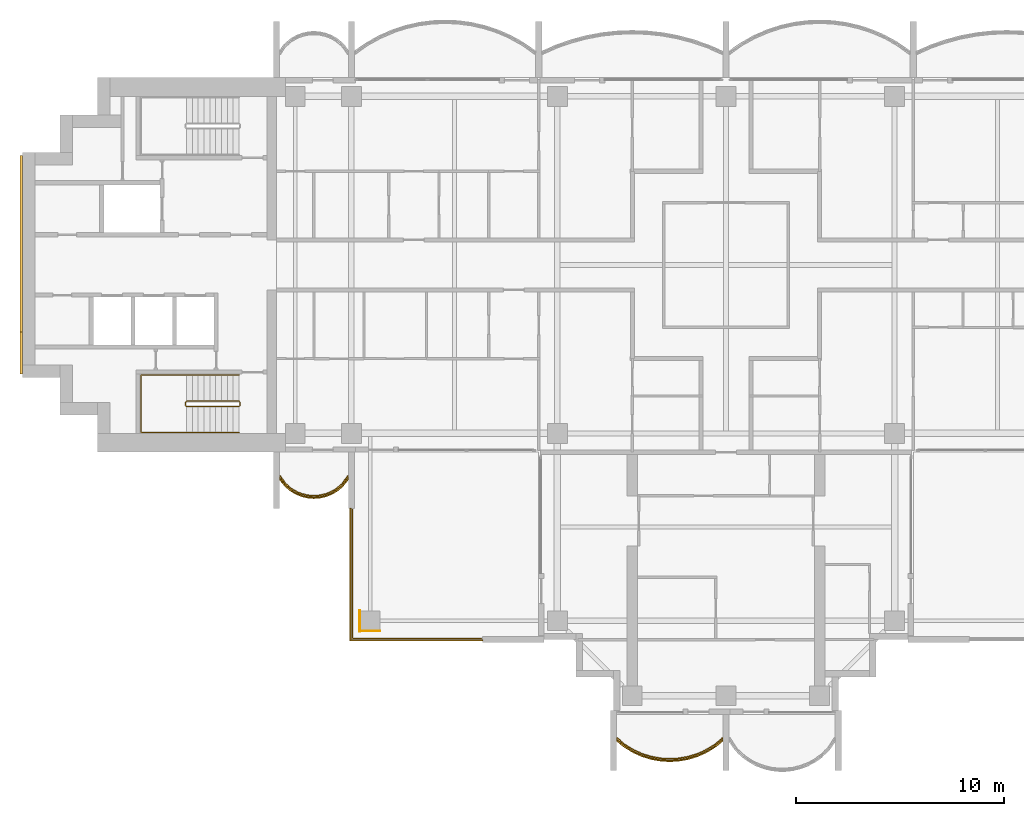
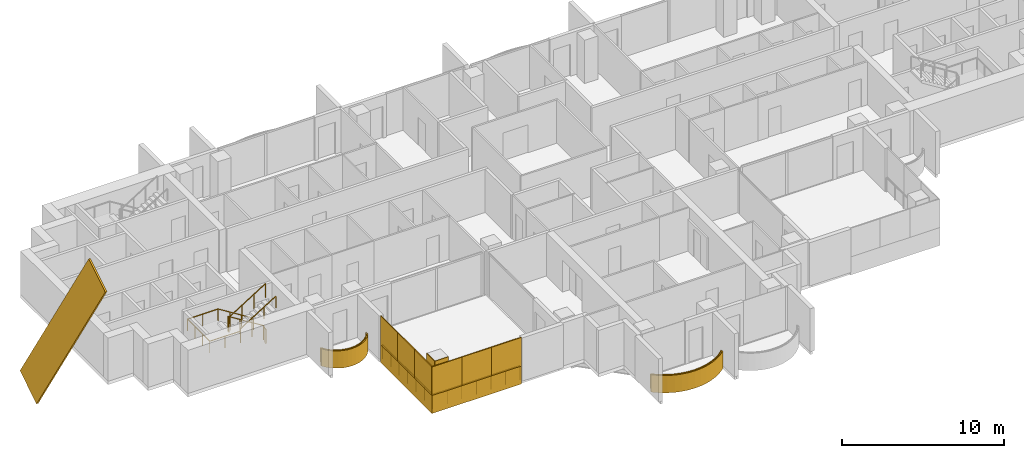
# One storey, part 14 of 17: 12 coverings, 5 railings.
"""IFC4 building model written with IfcOpenShell, lengths in metres."""

from ifc_helpers import new_model, si_unit, direction, frame, origin, origin_2d, place, context, subcontext, project, spatial, polyline, rectangle, outline, extrude, material, layer, layer_set, material_profile, profile_set, type_object, element, save


model = new_model("IFC4")

# Units and contexts
model_context = context("Model", 3, precision=1e-05, world=origin(), true_north=direction((0.0, 1.0)))
body_context = subcontext(model_context, "Body", "Model", "MODEL_VIEW")
ifc_project = project(units=[si_unit("LENGTHUNIT", "METRE"), si_unit("AREAUNIT", "SQUARE_METRE"), si_unit("VOLUMEUNIT", "CUBIC_METRE"), si_unit("PLANEANGLEUNIT", "RADIAN"), si_unit("MASSUNIT", "GRAM", prefix="KILO")], contexts=[model_context])

# Site, building, storey
site_placement = place(None, origin())
site = spatial("IfcSite", under=ifc_project, at=site_placement, CompositionType="ELEMENT")
building_placement = place(site_placement, origin())
building = spatial("IfcBuilding", under=site, at=building_placement, Name="Perihelion Cross Residences", CompositionType="ELEMENT")
storey_placement = place(building_placement, frame((0.0, 0.0, 191.10009765625)))
storey = spatial("IfcBuildingStorey", under=building, at=storey_placement, Name="L47", CompositionType="ELEMENT", Elevation=191.10009765625)

# Coverings
ifc_material_1 = material(Name="Bronze anodised aluminium", Category="aluminium")
ifc_layer_1 = layer(ifc_material_1, 0.070068359375)
ifc_layer_set_1 = layer_set([ifc_layer_1], Name="Balcony fascia 1300")
covering_type_1 = type_object("IfcCoveringType", Name="Balcony fascia 1300", PredefinedType="CLADDING", material=ifc_layer_set_1)
covering_1_placement = place(storey_placement, frame((0.0, 0.0, -0.2001953125)))
element("IfcCovering", 1, at=covering_1_placement, inside=storey, type_object=covering_type_1, Name="Fascia BF1 L47 west side south bay 1", PredefinedType="CLADDING", context=body_context, shape_type="SweptSolid", body=[
    extrude(outline(polyline([(-21.226318359375, -10.616455078125), (-20.94091796875, -10.86328125), (-20.655517578125, -11.031494140625), (-20.370361328125, -11.142578125), (-20.085205078125, -11.206298828125), (-19.800048828125, -11.22705078125), (-19.514892578125, -11.206298828125), (-19.229736328125, -11.142578125), (-18.9443359375, -11.031494140625), (-18.6591796875, -10.86328125), (-18.373779296875, -10.616455078125), (-18.14990234375, -10.31689453125), (-18.14990234375, -10.199951171875), (-18.425048828125, -10.568603515625), (-18.699951171875, -10.806396484375), (-18.97509765625, -10.96875), (-19.25, -11.07568359375), (-19.52490234375, -11.136962890625), (-19.800048828125, -11.156982421875), (-20.074951171875, -11.136962890625), (-20.35009765625, -11.07568359375), (-20.625, -10.96875), (-20.89990234375, -10.806396484375), (-21.175048828125, -10.568603515625), (-21.449951171875, -10.199951171875), (-21.449951171875, -10.31689453125), (-21.226318359375, -10.616455078125)])), origin(), (0.0, 0.0, 1.0), 1.300048828125),
])
covering_2_placement = place(storey_placement, frame((0.0, 0.0, -0.2001953125)))
element("IfcCovering", 2, at=covering_2_placement, inside=storey, type_object=covering_type_1, Name="Fascia BF1 L47 south tip south bay 1", PredefinedType="CLADDING", context=body_context, shape_type="SweptSolid", body=[
    extrude(outline(polyline([(-4.86474609375, -23.197509765625), (-4.431884765625, -23.455078125), (-3.998779296875, -23.642578125), (-3.56591796875, -23.7705078125), (-3.133056640625, -23.845458984375), (-2.699951171875, -23.8701171875), (-2.26708984375, -23.845458984375), (-1.833984375, -23.7705078125), (-1.401123046875, -23.642578125), (-0.96826171875, -23.455078125), (-0.53515625, -23.197509765625), (-0.14990234375, -22.8896484375), (-0.14990234375, -22.800048828125), (-0.574951171875, -23.14013671875), (-1.0, -23.392578125), (-1.425048828125, -23.57666015625), (-1.85009765625, -23.702392578125), (-2.27490234375, -23.77587890625), (-2.699951171875, -23.800048828125), (-3.125, -23.77587890625), (-3.550048828125, -23.702392578125), (-3.97509765625, -23.57666015625), (-4.39990234375, -23.392578125), (-4.824951171875, -23.14013671875), (-5.25, -22.800048828125), (-5.25, -22.8896484375), (-4.86474609375, -23.197509765625)])), origin(), (0.0, 0.0, 1.0), 1.300048828125),
])

# Railings
ifc_material_2 = material(Name="Bronze anodised aluminium", Category="aluminium")
railing_type_1 = type_object("IfcRailingType", Name="Balcony guard 1100", PredefinedType="GUARDRAIL", material=ifc_material_2)
railing_1_placement = place(storey_placement, frame((-21.425048828125, -10.139892578125, 0.0)))
element("IfcRailing", 3, at=railing_1_placement, inside=storey, type_object=railing_type_1, Name="Guard GU1 L47 west side south bay 1 balcony", PredefinedType="GUARDRAIL", context=body_context, shape_type="SweptSolid", body=[
    extrude(rectangle(XDim=0.048095703125, YDim=0.048095703125, at=origin_2d()), frame((0.0, 0.0, 1.076171875), z_axis=(0.561260132269, -0.827639452857, 0.0), x_axis=(0.827639452857, 0.561260132269, 0.0)), (0.0, 0.0, 1.0), 0.4453125),
    extrude(rectangle(XDim=0.048095703125, YDim=0.048095703125, at=origin_2d()), frame((0.25, -0.36865234375, 1.076171875), z_axis=(0.756596535164, -0.653882009982, 0.0), x_axis=(0.653882009982, 0.756596535164, 0.0)), (0.0, 0.0, 1.0), 0.36376953125),
    extrude(rectangle(XDim=0.048095703125, YDim=0.048095703125, at=origin_2d()), frame((0.525146484375, -0.6064453125, 1.076171875), z_axis=(0.861048292884, -0.508523192511, 0.0), x_axis=(0.508523192511, 0.861048292884, 0.0)), (0.0, 0.0, 1.0), 0.3193359375),
    extrude(rectangle(XDim=0.048095703125, YDim=0.048095703125, at=origin_2d()), frame((0.800048828125, -0.768798828125, 1.076171875), z_axis=(0.931973602183, -0.362526143656, 0.0), x_axis=(0.362526143656, 0.931973602183, 0.0)), (0.0, 0.0, 1.0), 0.294921875),
    extrude(rectangle(XDim=0.048095703125, YDim=0.048095703125, at=origin_2d()), frame((1.074951171875, -0.875732421875, 1.076171875), z_axis=(0.976085059389, -0.21738895289, 0.0), x_axis=(0.21738895289, 0.976085059389, 0.0)), (0.0, 0.0, 1.0), 0.281982421875),
    extrude(rectangle(XDim=0.048095703125, YDim=0.048095703125, at=origin_2d()), frame((1.35009765625, -0.93701171875, 1.076171875), z_axis=(0.997358821833, -0.072631814734, 0.0), x_axis=(0.072631814734, 0.997358821833, 0.0)), (0.0, 0.0, 1.0), 0.275634765625),
    extrude(rectangle(XDim=0.048095703125, YDim=0.048095703125, at=origin_2d()), frame((1.625, -0.95703125, 1.076171875), z_axis=(0.997363488337, 0.072567707226, 0.0), x_axis=(-0.072567707226, 0.997363488337, 0.0)), (0.0, 0.0, 1.0), 0.27587890625),
    extrude(rectangle(XDim=0.048095703125, YDim=0.048095703125, at=origin_2d()), frame((1.900146484375, -0.93701171875, 1.076171875), z_axis=(0.976044077717, 0.217572880557, 0.0), x_axis=(-0.217572880557, 0.976044077717, 0.0)), (0.0, 0.0, 1.0), 0.28173828125),
    extrude(rectangle(XDim=0.048095703125, YDim=0.048095703125, at=origin_2d()), frame((2.175048828125, -0.875732421875, 1.076171875), z_axis=(0.931973602183, 0.362526143656, 0.0), x_axis=(-0.362526143656, 0.931973602183, 0.0)), (0.0, 0.0, 1.0), 0.294921875),
    extrude(rectangle(XDim=0.048095703125, YDim=0.048095703125, at=origin_2d()), frame((2.449951171875, -0.768798828125, 1.076171875), z_axis=(0.861245845072, 0.508188542123, 0.0), x_axis=(-0.508188542123, 0.861245845072, 0.0)), (0.0, 0.0, 1.0), 0.319580078125),
    extrude(rectangle(XDim=0.048095703125, YDim=0.048095703125, at=origin_2d()), frame((2.72509765625, -0.6064453125, 1.076171875), z_axis=(0.756309278473, 0.654214242658, 0.0), x_axis=(-0.654214242658, 0.756309278473, 0.0)), (0.0, 0.0, 1.0), 0.363525390625),
    extrude(rectangle(XDim=0.048095703125, YDim=0.048095703125, at=origin_2d()), frame((3.0, -0.36865234375, 1.076171875), z_axis=(0.561260132269, 0.827639452857, 0.0), x_axis=(-0.827639452857, 0.561260132269, 0.0)), (0.0, 0.0, 1.0), 0.4453125),
    extrude(rectangle(XDim=0.0419921875, YDim=0.0419921875, at=origin_2d()), origin(), (0.0, 0.0, 1.0), 1.052001953125),
    extrude(rectangle(XDim=0.0419921875, YDim=0.0419921875, at=origin_2d()), frame((0.25, -0.36865234375, 0.0)), (0.0, 0.0, 1.0), 1.052001953125),
    extrude(rectangle(XDim=0.0419921875, YDim=0.0419921875, at=origin_2d()), frame((0.525146484375, -0.6064453125, 0.0)), (0.0, 0.0, 1.0), 1.052001953125),
    extrude(rectangle(XDim=0.0419921875, YDim=0.0419921875, at=origin_2d()), frame((0.800048828125, -0.768798828125, 0.0)), (0.0, 0.0, 1.0), 1.052001953125),
    extrude(rectangle(XDim=0.0419921875, YDim=0.0419921875, at=origin_2d()), frame((1.074951171875, -0.875732421875, 0.0)), (0.0, 0.0, 1.0), 1.052001953125),
    extrude(rectangle(XDim=0.0419921875, YDim=0.0419921875, at=origin_2d()), frame((1.35009765625, -0.93701171875, 0.0)), (0.0, 0.0, 1.0), 1.052001953125),
    extrude(rectangle(XDim=0.0419921875, YDim=0.0419921875, at=origin_2d()), frame((1.625, -0.95703125, 0.0)), (0.0, 0.0, 1.0), 1.052001953125),
    extrude(rectangle(XDim=0.0419921875, YDim=0.0419921875, at=origin_2d()), frame((1.900146484375, -0.93701171875, 0.0)), (0.0, 0.0, 1.0), 1.052001953125),
    extrude(rectangle(XDim=0.0419921875, YDim=0.0419921875, at=origin_2d()), frame((2.175048828125, -0.875732421875, 0.0)), (0.0, 0.0, 1.0), 1.052001953125),
    extrude(rectangle(XDim=0.0419921875, YDim=0.0419921875, at=origin_2d()), frame((2.449951171875, -0.768798828125, 0.0)), (0.0, 0.0, 1.0), 1.052001953125),
    extrude(rectangle(XDim=0.0419921875, YDim=0.0419921875, at=origin_2d()), frame((2.72509765625, -0.6064453125, 0.0)), (0.0, 0.0, 1.0), 1.052001953125),
    extrude(rectangle(XDim=0.0419921875, YDim=0.0419921875, at=origin_2d()), frame((3.0, -0.36865234375, 0.0)), (0.0, 0.0, 1.0), 1.052001953125),
    extrude(rectangle(XDim=0.0419921875, YDim=0.0419921875, at=origin_2d()), frame((3.25, 0.0, 0.0)), (0.0, 0.0, 1.0), 1.052001953125),
])
railing_2_placement = place(storey_placement, frame((-5.22509765625, -22.739990234375, 0.0)))
element("IfcRailing", 4, at=railing_2_placement, inside=storey, type_object=railing_type_1, Name="Guard GU1 L47 south tip south bay 1 balcony", PredefinedType="GUARDRAIL", context=body_context, shape_type="SweptSolid", body=[
    extrude(rectangle(XDim=0.048095703125, YDim=0.048095703125, at=origin_2d()), frame((0.0, 0.0, 1.076171875), z_axis=(0.761973728849, -0.647607934281, 0.0), x_axis=(0.647607934281, 0.761973728849, 0.0)), (0.0, 0.0, 1.0), 0.525146484375),
    extrude(rectangle(XDim=0.048095703125, YDim=0.048095703125, at=origin_2d()), frame((0.400146484375, -0.340087890625, 1.076171875), z_axis=(0.859576918062, -0.511006381501, 0.0), x_axis=(0.511006381501, 0.859576918062, 0.0)), (0.0, 0.0, 1.0), 0.494384765625),
    extrude(rectangle(XDim=0.048095703125, YDim=0.048095703125, at=origin_2d()), frame((0.8251953125, -0.5927734375, 1.076171875), z_axis=(0.917747942671, -0.397163333811, 0.0), x_axis=(0.397163333811, 0.917747942671, 0.0)), (0.0, 0.0, 1.0), 0.462890625),
    extrude(rectangle(XDim=0.048095703125, YDim=0.048095703125, at=origin_2d()), frame((1.25, -0.776611328125, 1.076171875), z_axis=(0.958925815697, -0.283656975924, 0.0), x_axis=(0.283656975924, 0.958925815697, 0.0)), (0.0, 0.0, 1.0), 0.443359375),
    extrude(rectangle(XDim=0.048095703125, YDim=0.048095703125, at=origin_2d()), frame((1.675048828125, -0.90234375, 1.076171875), z_axis=(0.985381583142, -0.17036177859, 0.0), x_axis=(0.17036177859, 0.985381583142, 0.0)), (0.0, 0.0, 1.0), 0.431396484375),
    extrude(rectangle(XDim=0.048095703125, YDim=0.048095703125, at=origin_2d()), frame((2.10009765625, -0.975830078125, 1.076171875), z_axis=(0.998387160354, -0.056772159032, 0.0), x_axis=(0.056772159032, 0.998387160354, 0.0)), (0.0, 0.0, 1.0), 0.42578125),
    extrude(rectangle(XDim=0.048095703125, YDim=0.048095703125, at=origin_2d()), frame((2.525146484375, -1.0, 1.076171875), z_axis=(0.998387160354, 0.056772159032, 0.0), x_axis=(-0.056772159032, 0.998387160354, 0.0)), (0.0, 0.0, 1.0), 0.42578125),
    extrude(rectangle(XDim=0.048095703125, YDim=0.048095703125, at=origin_2d()), frame((2.9501953125, -0.975830078125, 1.076171875), z_axis=(0.985365142702, 0.170456843651, 0.0), x_axis=(-0.170456843651, 0.985365142702, 0.0)), (0.0, 0.0, 1.0), 0.43115234375),
    extrude(rectangle(XDim=0.048095703125, YDim=0.048095703125, at=origin_2d()), frame((3.375, -0.90234375, 1.076171875), z_axis=(0.958925815697, 0.283656975924, 0.0), x_axis=(-0.283656975924, 0.958925815697, 0.0)), (0.0, 0.0, 1.0), 0.443359375),
    extrude(rectangle(XDim=0.048095703125, YDim=0.048095703125, at=origin_2d()), frame((3.800048828125, -0.776611328125, 1.076171875), z_axis=(0.917831080218, 0.396971167952, 0.0), x_axis=(-0.396971167952, 0.917831080218, 0.0)), (0.0, 0.0, 1.0), 0.463134765625),
    extrude(rectangle(XDim=0.048095703125, YDim=0.048095703125, at=origin_2d()), frame((4.22509765625, -0.5927734375, 1.076171875), z_axis=(0.859576918062, 0.511006381501, 0.0), x_axis=(-0.511006381501, 0.859576918062, 0.0)), (0.0, 0.0, 1.0), 0.494384765625),
    extrude(rectangle(XDim=0.048095703125, YDim=0.048095703125, at=origin_2d()), frame((4.650146484375, -0.340087890625, 1.076171875), z_axis=(0.761778647315, 0.647837396648, 0.0), x_axis=(-0.647837396648, 0.761778647315, 0.0)), (0.0, 0.0, 1.0), 0.52490234375),
    extrude(rectangle(XDim=0.0419921875, YDim=0.0419921875, at=origin_2d()), origin(), (0.0, 0.0, 1.0), 1.052001953125),
    extrude(rectangle(XDim=0.0419921875, YDim=0.0419921875, at=origin_2d()), frame((0.400146484375, -0.340087890625, 0.0)), (0.0, 0.0, 1.0), 1.052001953125),
    extrude(rectangle(XDim=0.0419921875, YDim=0.0419921875, at=origin_2d()), frame((0.8251953125, -0.5927734375, 0.0)), (0.0, 0.0, 1.0), 1.052001953125),
    extrude(rectangle(XDim=0.0419921875, YDim=0.0419921875, at=origin_2d()), frame((1.25, -0.776611328125, 0.0)), (0.0, 0.0, 1.0), 1.052001953125),
    extrude(rectangle(XDim=0.0419921875, YDim=0.0419921875, at=origin_2d()), frame((1.675048828125, -0.90234375, 0.0)), (0.0, 0.0, 1.0), 1.052001953125),
    extrude(rectangle(XDim=0.0419921875, YDim=0.0419921875, at=origin_2d()), frame((2.10009765625, -0.975830078125, 0.0)), (0.0, 0.0, 1.0), 1.052001953125),
    extrude(rectangle(XDim=0.0419921875, YDim=0.0419921875, at=origin_2d()), frame((2.525146484375, -1.0, 0.0)), (0.0, 0.0, 1.0), 1.052001953125),
    extrude(rectangle(XDim=0.0419921875, YDim=0.0419921875, at=origin_2d()), frame((2.9501953125, -0.975830078125, 0.0)), (0.0, 0.0, 1.0), 1.052001953125),
    extrude(rectangle(XDim=0.0419921875, YDim=0.0419921875, at=origin_2d()), frame((3.375, -0.90234375, 0.0)), (0.0, 0.0, 1.0), 1.052001953125),
    extrude(rectangle(XDim=0.0419921875, YDim=0.0419921875, at=origin_2d()), frame((3.800048828125, -0.776611328125, 0.0)), (0.0, 0.0, 1.0), 1.052001953125),
    extrude(rectangle(XDim=0.0419921875, YDim=0.0419921875, at=origin_2d()), frame((4.22509765625, -0.5927734375, 0.0)), (0.0, 0.0, 1.0), 1.052001953125),
    extrude(rectangle(XDim=0.0419921875, YDim=0.0419921875, at=origin_2d()), frame((4.650146484375, -0.340087890625, 0.0)), (0.0, 0.0, 1.0), 1.052001953125),
    extrude(rectangle(XDim=0.0419921875, YDim=0.0419921875, at=origin_2d()), frame((5.050048828125, 0.0, 0.0)), (0.0, 0.0, 1.0), 1.052001953125),
])
railing_3_placement = place(storey_placement, frame((-11.739990234375, -17.93994140625, 0.0)))
element("IfcRailing", 5, at=railing_3_placement, inside=storey, type_object=railing_type_1, Name="Guard GU1 L47 pocket south-west 1", PredefinedType="GUARDRAIL", context=body_context, shape_type="SweptSolid", body=[
    extrude(rectangle(XDim=0.048095703125, YDim=0.048095703125, at=origin_2d()), frame((0.0, 0.0, 1.076171875), z_axis=(-1.0, 0.0, 0.0), x_axis=(0.0, -1.0, 0.0)), (0.0, 0.0, 1.0), 6.199951171875),
    extrude(rectangle(XDim=0.048095703125, YDim=0.048095703125, at=origin_2d()), frame((-6.199951171875, 0.0, 1.076171875), z_axis=(0.0, 1.0, 0.0), x_axis=(-1.0, 0.0, 0.0)), (0.0, 0.0, 1.0), 6.199951171875),
    extrude(rectangle(XDim=0.0419921875, YDim=0.0419921875, at=origin_2d()), origin(), (0.0, 0.0, 1.0), 1.052001953125),
    extrude(rectangle(XDim=0.0419921875, YDim=0.0419921875, at=origin_2d()), frame((-1.033203125, 0.0, 0.0)), (0.0, 0.0, 1.0), 1.052001953125),
    extrude(rectangle(XDim=0.0419921875, YDim=0.0419921875, at=origin_2d()), frame((-2.066650390625, 0.0, 0.0)), (0.0, 0.0, 1.0), 1.052001953125),
    extrude(rectangle(XDim=0.0419921875, YDim=0.0419921875, at=origin_2d()), frame((-3.10009765625, 0.0, 0.0)), (0.0, 0.0, 1.0), 1.052001953125),
    extrude(rectangle(XDim=0.0419921875, YDim=0.0419921875, at=origin_2d()), frame((-4.13330078125, 0.0, 0.0)), (0.0, 0.0, 1.0), 1.052001953125),
    extrude(rectangle(XDim=0.0419921875, YDim=0.0419921875, at=origin_2d()), frame((-5.16650390625, 0.0, 0.0)), (0.0, 0.0, 1.0), 1.052001953125),
    extrude(rectangle(XDim=0.0419921875, YDim=0.0419921875, at=origin_2d()), frame((-6.199951171875, 0.0, 0.0)), (0.0, 0.0, 1.0), 1.052001953125),
    extrude(rectangle(XDim=0.0419921875, YDim=0.0419921875, at=origin_2d()), frame((-6.199951171875, 1.033203125, 0.0)), (0.0, 0.0, 1.0), 1.052001953125),
    extrude(rectangle(XDim=0.0419921875, YDim=0.0419921875, at=origin_2d()), frame((-6.199951171875, 2.066650390625, 0.0)), (0.0, 0.0, 1.0), 1.052001953125),
    extrude(rectangle(XDim=0.0419921875, YDim=0.0419921875, at=origin_2d()), frame((-6.199951171875, 3.10009765625, 0.0)), (0.0, 0.0, 1.0), 1.052001953125),
    extrude(rectangle(XDim=0.0419921875, YDim=0.0419921875, at=origin_2d()), frame((-6.199951171875, 4.13330078125, 0.0)), (0.0, 0.0, 1.0), 1.052001953125),
    extrude(rectangle(XDim=0.0419921875, YDim=0.0419921875, at=origin_2d()), frame((-6.199951171875, 5.16650390625, 0.0)), (0.0, 0.0, 1.0), 1.052001953125),
    extrude(rectangle(XDim=0.0419921875, YDim=0.0419921875, at=origin_2d()), frame((-6.199951171875, 6.199951171875, 0.0)), (0.0, 0.0, 1.0), 1.052001953125),
])

# Coverings
ifc_material_3 = material(Name="Bronze anodised aluminium", Category="aluminium")
ifc_material_profile = material_profile(ifc_material_3, rectangle(XDim=0.125, YDim=2.39990234375, at=origin_2d()), Name="Bronze cladding band 2400")
ifc_profile_set = profile_set([ifc_material_profile], Name="Bronze anodised aluminium")
covering_type_2 = type_object("IfcCoveringType", Name="Bronze cladding band 2400", PredefinedType="CLADDING", material=ifc_profile_set)
covering_3_placement = place(storey_placement, frame((-33.862548828125, 4.232421875, -6.2431640625), z_axis=(0.0, -0.529931619435, 0.848040375644), x_axis=(1.0, 0.0, 0.0)))
element("IfcCovering", 6, at=covering_3_placement, inside=storey, type_object=covering_type_2, Name="Core cladding band, west core", PredefinedType="CLADDING", context=body_context, shape_type="SweptSolid", body=[
    extrude(rectangle(XDim=0.125, YDim=2.39990234375, at=origin_2d()), origin(), (0.0, 0.0, 1.0), 15.973388671875),
])
ifc_material_4 = material(Name="Bronze anodised aluminium", Category="aluminium")
ifc_layer_2 = layer(ifc_material_4, 0.0400390625)
ifc_layer_set_2 = layer_set([ifc_layer_2], Name="Bronze column casing 40")
covering_type_3 = type_object("IfcCoveringType", Name="Bronze column casing 40", PredefinedType="CLADDING", material=ifc_layer_set_2)
covering_4_placement = place(storey_placement, frame((-17.594970703125, -17.10009765625, -0.25), z_axis=(0.0, 0.0, 1.0), x_axis=(1.0, 0.0, 0.0)))
element("IfcCovering", 7, at=covering_4_placement, inside=storey, type_object=covering_type_3, Name="Cladding CC1 L47 casing east-west no. 1", PredefinedType="CLADDING", context=body_context, shape_type="SweptSolid", body=[
    extrude(rectangle(XDim=0.0400390625, YDim=1.030029296875, at=origin_2d()), origin(), (0.0, 0.0, 1.0), 3.5),
])
covering_5_placement = place(storey_placement, frame((-17.10009765625, -17.594970703125, -0.25), z_axis=(0.0, 0.0, 1.0), x_axis=(1.0, 0.0, 0.0)))
element("IfcCovering", 8, at=covering_5_placement, inside=storey, type_object=covering_type_3, Name="Cladding CC1 L47 casing north-south no. 1", PredefinedType="CLADDING", context=body_context, shape_type="SweptSolid", body=[
    extrude(rectangle(XDim=0.949951171875, YDim=0.0400390625, at=origin_2d()), origin(), (0.0, 0.0, 1.0), 3.5),
])
ifc_material_5 = material(Name="Bronze anodised aluminium", Category="aluminium")
ifc_layer_3 = layer(ifc_material_5, 0.070068359375)
ifc_layer_set_3 = layer_set([ifc_layer_3], Name="Pocket fascia 1350")
covering_type_4 = type_object("IfcCoveringType", Name="Pocket fascia 1350", PredefinedType="CLADDING", material=ifc_layer_set_3)
covering_6_placement = place(storey_placement, frame((0.0, 0.0, -0.25)))
element("IfcCovering", 9, at=covering_6_placement, inside=storey, type_object=covering_type_4, Name="Fascia BF2 L47 pocket south-west 1", PredefinedType="CLADDING", context=body_context, shape_type="SweptSolid", body=[
    extrude(outline(polyline([(-18.070068359375, -11.699951171875), (-18.070068359375, -18.070068359375), (-11.699951171875, -18.070068359375), (-11.699951171875, -18.0), (-18.0, -18.0), (-18.0, -11.699951171875), (-18.070068359375, -11.699951171875)])), origin(), (0.0, 0.0, 1.0), 1.349853515625),
])
ifc_material_6 = material(Name="Bronze perforated aluminium", Category="aluminium")
ifc_layer_4 = layer(ifc_material_6, 0.070068359375)
ifc_layer_set_4 = layer_set([ifc_layer_4], Name="Pocket solar screen, bronze perforated")
covering_type_5 = type_object("IfcCoveringType", Name="Pocket solar screen, bronze perforated", PredefinedType="CLADDING", material=ifc_layer_set_4)
covering_7_placement = place(storey_placement, frame((0.0, 0.0, 1.099853515625)))
element("IfcCovering", 10, at=covering_7_placement, inside=storey, type_object=covering_type_5, Name="Solar screen PS1 L47 pocket south-west no. 1", PredefinedType="CLADDING", context=body_context, shape_type="SweptSolid", body=[
    extrude(outline(polyline([(-18.0, -18.0), (-18.0, -15.89990234375), (-18.070068359375, -15.89990234375), (-18.070068359375, -18.0), (-18.0, -18.0)])), origin(), (0.0, 0.0, 1.0), 2.150146484375),
])
covering_8_placement = place(storey_placement, frame((0.0, 0.0, 1.099853515625)))
element("IfcCovering", 11, at=covering_8_placement, inside=storey, type_object=covering_type_5, Name="Solar screen PS1 L47 pocket south-west no. 2", PredefinedType="CLADDING", context=body_context, shape_type="SweptSolid", body=[
    extrude(outline(polyline([(-18.0, -15.89990234375), (-18.0, -13.800048828125), (-18.070068359375, -13.800048828125), (-18.070068359375, -15.89990234375), (-18.0, -15.89990234375)])), origin(), (0.0, 0.0, 1.0), 2.150146484375),
])
covering_9_placement = place(storey_placement, frame((0.0, 0.0, 1.099853515625)))
element("IfcCovering", 12, at=covering_9_placement, inside=storey, type_object=covering_type_5, Name="Solar screen PS1 L47 pocket south-west no. 3", PredefinedType="CLADDING", context=body_context, shape_type="SweptSolid", body=[
    extrude(outline(polyline([(-18.0, -13.800048828125), (-18.0, -11.699951171875), (-18.070068359375, -11.699951171875), (-18.070068359375, -13.800048828125), (-18.0, -13.800048828125)])), origin(), (0.0, 0.0, 1.0), 2.150146484375),
])
covering_10_placement = place(storey_placement, frame((0.0, 0.0, 1.099853515625)))
element("IfcCovering", 13, at=covering_10_placement, inside=storey, type_object=covering_type_5, Name="Solar screen PS1 L47 pocket south-west no. 4", PredefinedType="CLADDING", context=body_context, shape_type="SweptSolid", body=[
    extrude(outline(polyline([(-15.94677734375, -18.070068359375), (-15.94677734375, -18.0), (-18.070068359375, -18.0), (-18.070068359375, -18.070068359375), (-15.94677734375, -18.070068359375)])), origin(), (0.0, 0.0, 1.0), 2.150146484375),
])
covering_11_placement = place(storey_placement, frame((0.0, 0.0, 1.099853515625)))
element("IfcCovering", 14, at=covering_11_placement, inside=storey, type_object=covering_type_5, Name="Solar screen PS1 L47 pocket south-west no. 5", PredefinedType="CLADDING", context=body_context, shape_type="SweptSolid", body=[
    extrude(outline(polyline([(-13.8232421875, -18.070068359375), (-13.8232421875, -18.0), (-15.94677734375, -18.0), (-15.94677734375, -18.070068359375), (-13.8232421875, -18.070068359375)])), origin(), (0.0, 0.0, 1.0), 2.150146484375),
])
covering_12_placement = place(storey_placement, frame((0.0, 0.0, 1.099853515625)))
element("IfcCovering", 15, at=covering_12_placement, inside=storey, type_object=covering_type_5, Name="Solar screen PS1 L47 pocket south-west no. 6", PredefinedType="CLADDING", context=body_context, shape_type="SweptSolid", body=[
    extrude(outline(polyline([(-11.699951171875, -18.070068359375), (-11.699951171875, -18.0), (-13.8232421875, -18.0), (-13.8232421875, -18.070068359375), (-11.699951171875, -18.070068359375)])), origin(), (0.0, 0.0, 1.0), 2.150146484375),
])

# Railings
ifc_material_7 = material(Name="Stainless steel", Category="steel")
railing_type_2 = type_object("IfcRailingType", Name="Stair guard 1100", PredefinedType="GUARDRAIL", material=ifc_material_7)
railing_4_placement = place(storey_placement, frame((-23.35009765625, -6.75, 0.0)))
element("IfcRailing", 16, at=railing_4_placement, inside=storey, type_object=railing_type_2, Name="L47 ST-W2 stair guard 1", PredefinedType="GUARDRAIL", context=body_context, shape_type="SweptSolid", body=[
    extrude(rectangle(XDim=0.048095703125, YDim=0.048095703125, at=origin_2d()), frame((0.0, 0.0, 1.076171875), z_axis=(0.0, 1.0, 0.0), x_axis=(-1.0, 0.0, 0.0)), (0.0, 0.0, 1.0), 0.14990234375),
    extrude(rectangle(XDim=0.048095703125, YDim=0.048095703125, at=origin_2d()), frame((0.0, 0.14990234375, 1.076171875), z_axis=(-0.264179342666, 0.265474339444, 0.927217692888), x_axis=(-0.708833529934, -0.705375805398, 0.0)), (0.0, 0.0, 1.0), 0.1884765625),
    extrude(rectangle(XDim=0.048095703125, YDim=0.048095703125, at=origin_2d()), frame((-0.0498046875, 0.199951171875, 1.2509765625), z_axis=(-0.847970611238, 0.0, 0.530043245855), x_axis=(0.0, -1.0, 0.0)), (0.0, 0.0, 1.0), 2.971923828125),
    extrude(rectangle(XDim=0.048095703125, YDim=0.048095703125, at=origin_2d()), frame((-2.56982421875, 0.199951171875, 2.826171875), z_axis=(-0.707106781187, -0.707106781187, 0.0), x_axis=(0.707106781187, -0.707106781187, 0.0)), (0.0, 0.0, 1.0), 0.07080078125),
    extrude(rectangle(XDim=0.048095703125, YDim=0.048095703125, at=origin_2d()), frame((-2.619873046875, 0.14990234375, 2.826171875), z_axis=(0.0, -1.0, 0.0), x_axis=(1.0, 0.0, 0.0)), (0.0, 0.0, 1.0), 0.14990234375),
    extrude(rectangle(XDim=0.048095703125, YDim=0.048095703125, at=origin_2d()), frame((-2.619873046875, 0.0, 2.826171875), z_axis=(0.265383341853, -0.265383341853, 0.926899867156), x_axis=(0.707106781187, 0.707106781187, 0.0)), (0.0, 0.0, 1.0), 0.1884765625),
    extrude(rectangle(XDim=0.048095703125, YDim=0.048095703125, at=origin_2d()), frame((-2.56982421875, -0.050048828125, 3.0009765625), z_axis=(0.847970611238, 0.0, 0.530043245855), x_axis=(0.0, 1.0, 0.0)), (0.0, 0.0, 1.0), 2.971923828125),
    extrude(rectangle(XDim=0.0419921875, YDim=0.0419921875, at=origin_2d()), origin(), (0.0, 0.0, 1.0), 1.052001953125),
    extrude(rectangle(XDim=0.0419921875, YDim=0.0419921875, at=origin_2d()), frame((0.0, 0.14990234375, 0.0)), (0.0, 0.0, 1.0), 1.052001953125),
    extrude(rectangle(XDim=0.0419921875, YDim=0.0419921875, at=origin_2d()), frame((-0.0498046875, 0.199951171875, 0.1748046875)), (0.0, 0.0, 1.0), 1.052001953125),
    extrude(rectangle(XDim=0.0419921875, YDim=0.0419921875, at=origin_2d()), frame((-0.889892578125, 0.199951171875, 0.699951171875)), (0.0, 0.0, 1.0), 1.052001953125),
    extrude(rectangle(XDim=0.0419921875, YDim=0.0419921875, at=origin_2d()), frame((-1.729736328125, 0.199951171875, 1.224853515625)), (0.0, 0.0, 1.0), 1.052001953125),
    extrude(rectangle(XDim=0.0419921875, YDim=0.0419921875, at=origin_2d()), frame((-2.56982421875, 0.199951171875, 1.75)), (0.0, 0.0, 1.0), 1.052001953125),
    extrude(rectangle(XDim=0.0419921875, YDim=0.0419921875, at=origin_2d()), frame((-2.619873046875, 0.14990234375, 1.75)), (0.0, 0.0, 1.0), 1.052001953125),
    extrude(rectangle(XDim=0.0419921875, YDim=0.0419921875, at=origin_2d()), frame((-2.619873046875, 0.0, 1.75)), (0.0, 0.0, 1.0), 1.052001953125),
    extrude(rectangle(XDim=0.0419921875, YDim=0.0419921875, at=origin_2d()), frame((-2.56982421875, -0.050048828125, 1.9248046875)), (0.0, 0.0, 1.0), 1.052001953125),
    extrude(rectangle(XDim=0.0419921875, YDim=0.0419921875, at=origin_2d()), frame((-1.729736328125, -0.050048828125, 2.449951171875)), (0.0, 0.0, 1.0), 1.052001953125),
    extrude(rectangle(XDim=0.0419921875, YDim=0.0419921875, at=origin_2d()), frame((-0.889892578125, -0.050048828125, 2.974853515625)), (0.0, 0.0, 1.0), 1.052001953125),
    extrude(rectangle(XDim=0.0419921875, YDim=0.0419921875, at=origin_2d()), frame((-0.0498046875, -0.050048828125, 3.5)), (0.0, 0.0, 1.0), 1.052001953125),
])
ifc_material_8 = material(Name="Stainless steel", Category="steel")
railing_type_3 = type_object("IfcRailingType", Name="Stair handrail 900", PredefinedType="HANDRAIL", material=ifc_material_8)
railing_5_placement = place(storey_placement, frame((-23.39990234375, -5.300048828125, 0.1748046875)))
element("IfcRailing", 17, at=railing_5_placement, inside=storey, type_object=railing_type_3, Name="L47 ST-W2 stair handrail 1", PredefinedType="HANDRAIL", context=body_context, shape_type="SweptSolid", body=[
    extrude(rectangle(XDim=0.048095703125, YDim=0.048095703125, at=origin_2d()), frame((0.0, 0.0, 0.8759765625), z_axis=(-0.847970611238, 0.0, 0.530043245855), x_axis=(0.0, -1.0, 0.0)), (0.0, 0.0, 1.0), 2.971923828125),
    extrude(rectangle(XDim=0.048095703125, YDim=0.048095703125, at=origin_2d()), frame((-2.52001953125, 0.0, 2.451171875), z_axis=(-1.0, 0.0, 0.0), x_axis=(0.0, -1.0, 0.0)), (0.0, 0.0, 1.0), 2.18017578125),
    extrude(rectangle(XDim=0.048095703125, YDim=0.048095703125, at=origin_2d()), frame((-4.7001953125, 0.0, 2.451171875), z_axis=(0.0, -1.0, 0.0), x_axis=(1.0, 0.0, 0.0)), (0.0, 0.0, 1.0), 2.75),
    extrude(rectangle(XDim=0.048095703125, YDim=0.048095703125, at=origin_2d()), frame((-4.7001953125, -2.75, 2.451171875), z_axis=(1.0, 0.0, 0.0), x_axis=(0.0, 1.0, 0.0)), (0.0, 0.0, 1.0), 2.18017578125),
    extrude(rectangle(XDim=0.048095703125, YDim=0.048095703125, at=origin_2d()), frame((-2.52001953125, -2.75, 2.451171875), z_axis=(0.0, 0.0, 1.0), x_axis=(1.0, 0.0, 0.0)), (0.0, 0.0, 1.0), 0.1748046875),
    extrude(rectangle(XDim=0.048095703125, YDim=0.048095703125, at=origin_2d()), frame((-2.52001953125, -2.75, 2.6259765625), z_axis=(0.847970611238, 0.0, 0.530043245855), x_axis=(0.0, 1.0, 0.0)), (0.0, 0.0, 1.0), 2.971923828125),
    extrude(rectangle(XDim=0.0419921875, YDim=0.0419921875, at=origin_2d()), origin(), (0.0, 0.0, 1.0), 0.851806640625),
    extrude(rectangle(XDim=0.0419921875, YDim=0.0419921875, at=origin_2d()), frame((-0.840087890625, 0.0, 0.525146484375)), (0.0, 0.0, 1.0), 0.851806640625),
    extrude(rectangle(XDim=0.0419921875, YDim=0.0419921875, at=origin_2d()), frame((-1.679931640625, 0.0, 1.050048828125)), (0.0, 0.0, 1.0), 0.851806640625),
    extrude(rectangle(XDim=0.0419921875, YDim=0.0419921875, at=origin_2d()), frame((-2.52001953125, 0.0, 1.5751953125)), (0.0, 0.0, 1.0), 0.851806640625),
    extrude(rectangle(XDim=0.0419921875, YDim=0.0419921875, at=origin_2d()), frame((-3.610107421875, 0.0, 1.5751953125)), (0.0, 0.0, 1.0), 0.851806640625),
    extrude(rectangle(XDim=0.0419921875, YDim=0.0419921875, at=origin_2d()), frame((-4.7001953125, 0.0, 1.5751953125)), (0.0, 0.0, 1.0), 0.851806640625),
    extrude(rectangle(XDim=0.0419921875, YDim=0.0419921875, at=origin_2d()), frame((-4.7001953125, -0.916748046875, 1.5751953125)), (0.0, 0.0, 1.0), 0.851806640625),
    extrude(rectangle(XDim=0.0419921875, YDim=0.0419921875, at=origin_2d()), frame((-4.7001953125, -1.833251953125, 1.5751953125)), (0.0, 0.0, 1.0), 0.851806640625),
    extrude(rectangle(XDim=0.0419921875, YDim=0.0419921875, at=origin_2d()), frame((-4.7001953125, -2.75, 1.5751953125)), (0.0, 0.0, 1.0), 0.851806640625),
    extrude(rectangle(XDim=0.0419921875, YDim=0.0419921875, at=origin_2d()), frame((-3.610107421875, -2.75, 1.5751953125)), (0.0, 0.0, 1.0), 0.851806640625),
    extrude(rectangle(XDim=0.0419921875, YDim=0.0419921875, at=origin_2d()), frame((-2.52001953125, -2.75, 1.5751953125)), (0.0, 0.0, 1.0), 0.851806640625),
    extrude(rectangle(XDim=0.0419921875, YDim=0.0419921875, at=origin_2d()), frame((-2.52001953125, -2.75, 1.75)), (0.0, 0.0, 1.0), 0.851806640625),
    extrude(rectangle(XDim=0.0419921875, YDim=0.0419921875, at=origin_2d()), frame((-1.679931640625, -2.75, 2.275146484375)), (0.0, 0.0, 1.0), 0.851806640625),
    extrude(rectangle(XDim=0.0419921875, YDim=0.0419921875, at=origin_2d()), frame((-0.840087890625, -2.75, 2.800048828125)), (0.0, 0.0, 1.0), 0.851806640625),
    extrude(rectangle(XDim=0.0419921875, YDim=0.0419921875, at=origin_2d()), frame((0.0, -2.75, 3.3251953125)), (0.0, 0.0, 1.0), 0.851806640625),
])

save(model, "model.ifc")
